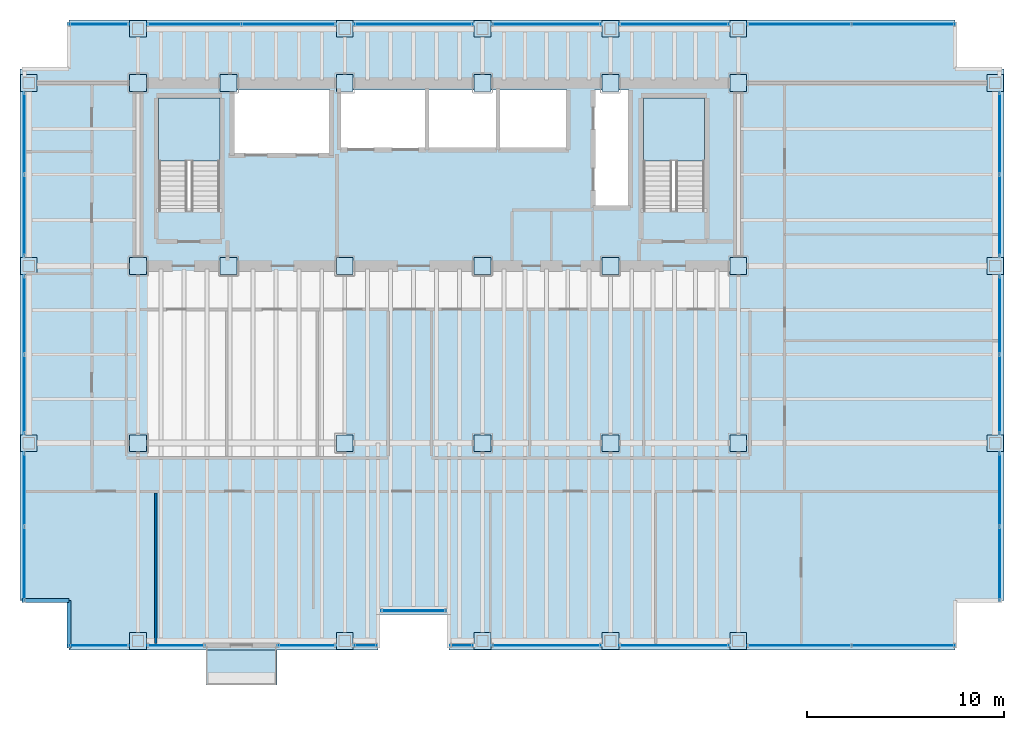
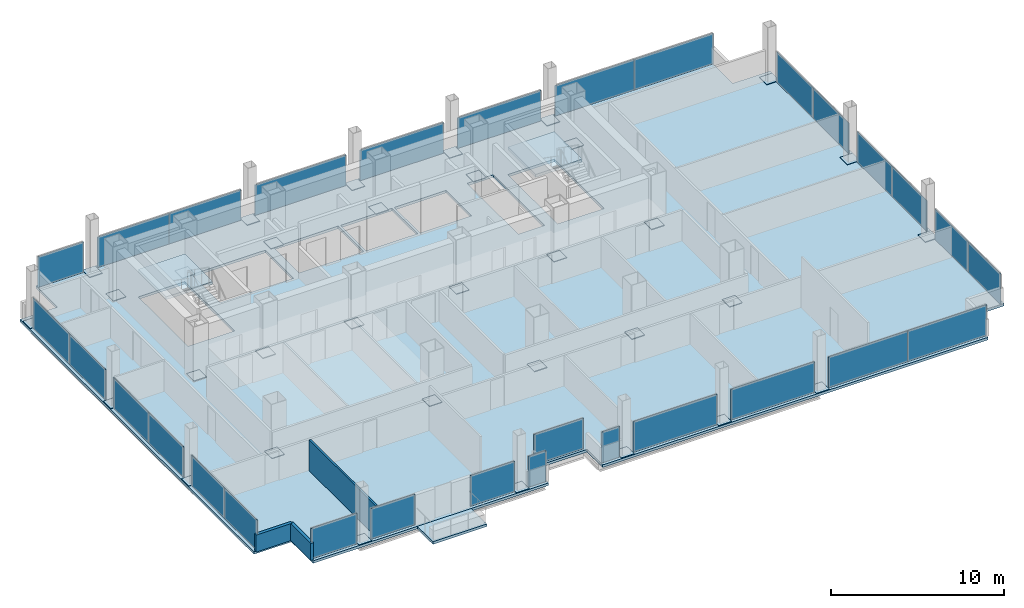
# One storey, part 17 of 21: 63 plates, 4 slabs, 3 walls, 7 openings, 23 elements without a shape of their own.
"""IFC4 building model written with IfcOpenShell, lengths in metres."""

from ifc_helpers import new_model, si_unit, direction, frame, frame_2d, origin, origin_2d, place, context, subcontext, project, spatial, polyline, rectangle, outline, extrude, material, layer, layer_set, type_object, element, aggregate, save


model = new_model("IFC4")

# Units and contexts
model_context = context("Model", 3, precision=1e-05, world=origin(), true_north=direction((0.0, 1.0)))
body_context = subcontext(model_context, "Body", "Model", "MODEL_VIEW")
ifc_project = project(units=[si_unit("LENGTHUNIT", "METRE"), si_unit("AREAUNIT", "SQUARE_METRE"), si_unit("VOLUMEUNIT", "CUBIC_METRE"), si_unit("PLANEANGLEUNIT", "RADIAN"), si_unit("MASSUNIT", "GRAM", prefix="KILO")], contexts=[model_context])

# Site, building, storey
site_placement = place(None, origin())
site = spatial("IfcSite", under=ifc_project, at=site_placement, CompositionType="ELEMENT")
building_placement = place(site_placement, origin())
building = spatial("IfcBuilding", under=site, at=building_placement, Name="Noeulbin Bourse Tower", CompositionType="ELEMENT")
storey_placement = place(building_placement, frame((0.0, 0.0, 96.699951171875)))
storey = spatial("IfcBuildingStorey", under=building, at=storey_placement, Name="L24", CompositionType="ELEMENT", Elevation=96.699951171875)

# Curtain wall, plate
ifc_material_1 = material(Name="Dark Solar-Control Double Glazing", Category="glass")
curtain_wall_type = type_object("IfcCurtainWallType", Name="CW-SYS-2", PredefinedType="NOTDEFINED", material=ifc_material_1)
curtain_wall_1_placement = place(storey_placement, origin())
curtain_wall_1 = element("IfcCurtainWall", 1, at=curtain_wall_1_placement, inside=storey, type_object=curtain_wall_type, Name="Unitised Curtain Wall CW-L24-SREC", PredefinedType="NOTDEFINED")
ifc_layer_1 = layer(ifc_material_1, 0.035888671875)
ifc_layer_set_1 = layer_set([ifc_layer_1], Name="Dark Solar-Control Double Glazing")
plate_type_1 = type_object("IfcPlateType", Name="CW-SYS-2-PNL", PredefinedType="CURTAIN_PANEL", material=ifc_layer_set_1)
plate_1_placement = place(storey_placement, frame((27.5, 11.47998046875, 0.0), z_axis=(0.0, 0.0, 1.0), x_axis=(1.0, 0.0, 0.0)))
plate_1 = element("IfcPlate", 2, at=plate_1_placement, type_object=plate_type_1, Name="Glazed Curtain Panel CW-L24-SREC-P00", PredefinedType="CURTAIN_PANEL", context=body_context, shape_type="SweptSolid", body=[
    extrude(rectangle(XDim=3.300048828125, YDim=0.035888671875, at=origin_2d()), origin(), (0.0, 0.0, 1.0), 2.159912109375),
])
aggregate(curtain_wall_1, [plate_1])

curtain_wall_2_placement = place(storey_placement, origin())
curtain_wall_2 = element("IfcCurtainWall", 3, at=curtain_wall_2_placement, inside=storey, type_object=curtain_wall_type, Name="Unitised Curtain Wall CW-L24-S1-S1", PredefinedType="NOTDEFINED")
plate_2_placement = place(storey_placement, frame((11.510009765625, 9.719970703125, 0.0), z_axis=(0.0, 0.0, 1.0), x_axis=(1.0, 0.0, 0.0)))
plate_2 = element("IfcPlate", 4, at=plate_2_placement, type_object=plate_type_1, Name="Glazed Curtain Panel CW-L24-S1-S1-P00", PredefinedType="CURTAIN_PANEL", context=body_context, shape_type="SweptSolid", body=[
    extrude(rectangle(XDim=3.06005859375, YDim=0.035888671875, at=origin_2d()), origin(), (0.0, 0.0, 1.0), 2.159912109375),
])
aggregate(curtain_wall_2, [plate_2])

curtain_wall_3_placement = place(storey_placement, origin())
curtain_wall_3 = element("IfcCurtainWall", 5, at=curtain_wall_3_placement, inside=storey, type_object=curtain_wall_type, Name="Unitised Curtain Wall CW-L24-S1-S2", PredefinedType="NOTDEFINED")
plate_3_placement = place(storey_placement, frame((15.429931640625, 9.719970703125, 0.0), z_axis=(0.0, 0.0, 1.0), x_axis=(1.0, 0.0, 0.0)))
plate_3 = element("IfcPlate", 6, at=plate_3_placement, type_object=plate_type_1, Name="Glazed Curtain Panel CW-L24-S1-S2-P00", PredefinedType="CURTAIN_PANEL", context=body_context, shape_type="SweptSolid", body=[
    extrude(rectangle(XDim=2.93994140625, YDim=0.035888671875, at=origin_2d()), origin(), (0.0, 0.0, 1.0), 2.159912109375),
])
aggregate(curtain_wall_3, [plate_3])

curtain_wall_4_placement = place(storey_placement, origin())
curtain_wall_4 = element("IfcCurtainWall", 7, at=curtain_wall_4_placement, inside=storey, type_object=curtain_wall_type, Name="Unitised Curtain Wall CW-L24-S2-S1", PredefinedType="NOTDEFINED")
plate_4_placement = place(storey_placement, frame((22.070068359375, 9.719970703125, 0.0), z_axis=(0.0, 0.0, 1.0), x_axis=(1.0, 0.0, 0.0)))
plate_4 = element("IfcPlate", 8, at=plate_4_placement, type_object=plate_type_1, Name="Glazed Curtain Panel CW-L24-S2-S1-P00", PredefinedType="CURTAIN_PANEL", context=body_context, shape_type="SweptSolid", body=[
    extrude(rectangle(XDim=2.93994140625, YDim=0.035888671875, at=origin_2d()), origin(), (0.0, 0.0, 1.0), 2.159912109375),
])
aggregate(curtain_wall_4, [plate_4])

curtain_wall_5_placement = place(storey_placement, origin())
curtain_wall_5 = element("IfcCurtainWall", 9, at=curtain_wall_5_placement, inside=storey, type_object=curtain_wall_type, Name="Unitised Curtain Wall CW-L24-S2-S2", PredefinedType="NOTDEFINED")
plate_5_placement = place(storey_placement, frame((25.054931640625, 9.719970703125, 0.0), z_axis=(0.0, 0.0, 1.0), x_axis=(1.0, 0.0, 0.0)))
plate_5 = element("IfcPlate", 10, at=plate_5_placement, type_object=plate_type_1, Name="Glazed Curtain Panel CW-L24-S2-S2-P00", PredefinedType="CURTAIN_PANEL", context=body_context, shape_type="SweptSolid", body=[
    extrude(rectangle(XDim=1.18994140625, YDim=0.035888671875, at=origin_2d()), origin(), (0.0, 0.0, 1.0), 2.159912109375),
])
aggregate(curtain_wall_5, [plate_5])

curtain_wall_6_placement = place(storey_placement, origin())
curtain_wall_6 = element("IfcCurtainWall", 11, at=curtain_wall_6_placement, inside=storey, type_object=curtain_wall_type, Name="Unitised Curtain Wall CW-L24-S3-S1", PredefinedType="NOTDEFINED")
plate_6_placement = place(storey_placement, frame((29.945068359375, 9.719970703125, 0.0), z_axis=(0.0, 0.0, 1.0), x_axis=(1.0, 0.0, 0.0)))
plate_6 = element("IfcPlate", 12, at=plate_6_placement, type_object=plate_type_1, Name="Glazed Curtain Panel CW-L24-S3-S1-P00", PredefinedType="CURTAIN_PANEL", context=body_context, shape_type="SweptSolid", body=[
    extrude(rectangle(XDim=1.18994140625, YDim=0.035888671875, at=origin_2d()), origin(), (0.0, 0.0, 1.0), 2.159912109375),
])
aggregate(curtain_wall_6, [plate_6])

curtain_wall_7_placement = place(storey_placement, origin())
curtain_wall_7 = element("IfcCurtainWall", 13, at=curtain_wall_7_placement, inside=storey, type_object=curtain_wall_type, Name="Unitised Curtain Wall CW-L24-S3-S2", PredefinedType="NOTDEFINED")
plate_7_placement = place(storey_placement, frame((34.25, 9.719970703125, 0.0), z_axis=(0.0, 0.0, 1.0), x_axis=(1.0, 0.0, 0.0)))
plate_7 = element("IfcPlate", 14, at=plate_7_placement, type_object=plate_type_1, Name="Glazed Curtain Panel CW-L24-S3-S2-P00", PredefinedType="CURTAIN_PANEL", context=body_context, shape_type="SweptSolid", body=[
    extrude(rectangle(XDim=5.580078125, YDim=0.035888671875, at=origin_2d()), origin(), (0.0, 0.0, 1.0), 2.159912109375),
])
aggregate(curtain_wall_7, [plate_7])

curtain_wall_8_placement = place(storey_placement, origin())
curtain_wall_8 = element("IfcCurtainWall", 15, at=curtain_wall_8_placement, inside=storey, type_object=curtain_wall_type, Name="Unitised Curtain Wall CW-L24-S3-S3", PredefinedType="NOTDEFINED")
plate_8_placement = place(storey_placement, frame((40.75, 9.719970703125, 0.0), z_axis=(0.0, 0.0, 1.0), x_axis=(1.0, 0.0, 0.0)))
plate_8 = element("IfcPlate", 16, at=plate_8_placement, type_object=plate_type_1, Name="Glazed Curtain Panel CW-L24-S3-S3-P00", PredefinedType="CURTAIN_PANEL", context=body_context, shape_type="SweptSolid", body=[
    extrude(rectangle(XDim=5.580078125, YDim=0.035888671875, at=origin_2d()), origin(), (0.0, 0.0, 1.0), 2.159912109375),
])
aggregate(curtain_wall_8, [plate_8])

# Curtain wall, plates
curtain_wall_9_placement = place(storey_placement, origin())
curtain_wall_9 = element("IfcCurtainWall", 17, at=curtain_wall_9_placement, inside=storey, type_object=curtain_wall_type, Name="Unitised Curtain Wall CW-L24-S3-S4", PredefinedType="NOTDEFINED")
plate_9_placement = place(storey_placement, frame((47.10009765625, 9.719970703125, 0.0), z_axis=(0.0, 0.0, 1.0), x_axis=(1.0, 0.0, 0.0)))
plate_9 = element("IfcPlate", 18, at=plate_9_placement, type_object=plate_type_1, Name="Glazed Curtain Panel CW-L24-S3-S4-P00", PredefinedType="CURTAIN_PANEL", context=body_context, shape_type="SweptSolid", body=[
    extrude(rectangle(XDim=5.280029296875, YDim=0.035888671875, at=origin_2d()), origin(), (0.0, 0.0, 1.0), 2.159912109375),
])
plate_10_placement = place(storey_placement, frame((52.3798828125, 9.719970703125, 0.0), z_axis=(0.0, 0.0, 1.0), x_axis=(1.0, 0.0, 0.0)))
plate_10 = element("IfcPlate", 19, at=plate_10_placement, type_object=plate_type_1, Name="Glazed Curtain Panel CW-L24-S3-S4-P01", PredefinedType="CURTAIN_PANEL", context=body_context, shape_type="SweptSolid", body=[
    extrude(rectangle(XDim=5.280029296875, YDim=0.035888671875, at=origin_2d()), origin(), (0.0, 0.0, 1.0), 2.159912109375),
])
aggregate(curtain_wall_9, [plate_9, plate_10])

# Curtain wall, plate
curtain_wall_10_placement = place(storey_placement, origin())
curtain_wall_10 = element("IfcCurtainWall", 20, at=curtain_wall_10_placement, inside=storey, type_object=curtain_wall_type, Name="Unitised Curtain Wall CW-L24-N-S1", PredefinedType="NOTDEFINED")
plate_11_placement = place(storey_placement, frame((11.510009765625, 41.280029296875, 0.0), z_axis=(0.0, 0.0, 1.0), x_axis=(1.0, 0.0, 0.0)))
plate_11 = element("IfcPlate", 21, at=plate_11_placement, type_object=plate_type_1, Name="Glazed Curtain Panel CW-L24-N-S1-P00", PredefinedType="CURTAIN_PANEL", context=body_context, shape_type="SweptSolid", body=[
    extrude(rectangle(XDim=3.06005859375, YDim=0.035888671875, at=origin_2d()), origin(), (0.0, 0.0, 1.0), 2.159912109375),
])
aggregate(curtain_wall_10, [plate_11])

# Curtain wall, plates
curtain_wall_11_placement = place(storey_placement, origin())
curtain_wall_11 = element("IfcCurtainWall", 22, at=curtain_wall_11_placement, inside=storey, type_object=curtain_wall_type, Name="Unitised Curtain Wall CW-L24-N-S2", PredefinedType="NOTDEFINED")
plate_12_placement = place(storey_placement, frame((16.35498046875, 41.280029296875, 0.0), z_axis=(0.0, 0.0, 1.0), x_axis=(1.0, 0.0, 0.0)))
plate_12 = element("IfcPlate", 23, at=plate_12_placement, type_object=plate_type_1, Name="Glazed Curtain Panel CW-L24-N-S2-P00", PredefinedType="CURTAIN_PANEL", context=body_context, shape_type="SweptSolid", body=[
    extrude(rectangle(XDim=4.7900390625, YDim=0.035888671875, at=origin_2d()), origin(), (0.0, 0.0, 1.0), 2.159912109375),
])
plate_13_placement = place(storey_placement, frame((21.14501953125, 41.280029296875, 0.0), z_axis=(0.0, 0.0, 1.0), x_axis=(1.0, 0.0, 0.0)))
plate_13 = element("IfcPlate", 24, at=plate_13_placement, type_object=plate_type_1, Name="Glazed Curtain Panel CW-L24-N-S2-P01", PredefinedType="CURTAIN_PANEL", context=body_context, shape_type="SweptSolid", body=[
    extrude(rectangle(XDim=4.7900390625, YDim=0.035888671875, at=origin_2d()), origin(), (0.0, 0.0, 1.0), 2.159912109375),
])
aggregate(curtain_wall_11, [plate_12, plate_13])

# Curtain wall, plate
curtain_wall_12_placement = place(storey_placement, origin())
curtain_wall_12 = element("IfcCurtainWall", 25, at=curtain_wall_12_placement, inside=storey, type_object=curtain_wall_type, Name="Unitised Curtain Wall CW-L24-N-S3", PredefinedType="NOTDEFINED")
plate_14_placement = place(storey_placement, frame((27.5, 41.280029296875, 0.0), z_axis=(0.0, 0.0, 1.0), x_axis=(1.0, 0.0, 0.0)))
plate_14 = element("IfcPlate", 26, at=plate_14_placement, type_object=plate_type_1, Name="Glazed Curtain Panel CW-L24-N-S3-P00", PredefinedType="CURTAIN_PANEL", context=body_context, shape_type="SweptSolid", body=[
    extrude(rectangle(XDim=6.080078125, YDim=0.035888671875, at=origin_2d()), origin(), (0.0, 0.0, 1.0), 2.159912109375),
])
aggregate(curtain_wall_12, [plate_14])

curtain_wall_13_placement = place(storey_placement, origin())
curtain_wall_13 = element("IfcCurtainWall", 27, at=curtain_wall_13_placement, inside=storey, type_object=curtain_wall_type, Name="Unitised Curtain Wall CW-L24-N-S4", PredefinedType="NOTDEFINED")
plate_15_placement = place(storey_placement, frame((34.25, 41.280029296875, 0.0), z_axis=(0.0, 0.0, 1.0), x_axis=(1.0, 0.0, 0.0)))
plate_15 = element("IfcPlate", 28, at=plate_15_placement, type_object=plate_type_1, Name="Glazed Curtain Panel CW-L24-N-S4-P00", PredefinedType="CURTAIN_PANEL", context=body_context, shape_type="SweptSolid", body=[
    extrude(rectangle(XDim=5.580078125, YDim=0.035888671875, at=origin_2d()), origin(), (0.0, 0.0, 1.0), 2.159912109375),
])
aggregate(curtain_wall_13, [plate_15])

curtain_wall_14_placement = place(storey_placement, origin())
curtain_wall_14 = element("IfcCurtainWall", 29, at=curtain_wall_14_placement, inside=storey, type_object=curtain_wall_type, Name="Unitised Curtain Wall CW-L24-N-S5", PredefinedType="NOTDEFINED")
plate_16_placement = place(storey_placement, frame((40.75, 41.280029296875, 0.0), z_axis=(0.0, 0.0, 1.0), x_axis=(1.0, 0.0, 0.0)))
plate_16 = element("IfcPlate", 30, at=plate_16_placement, type_object=plate_type_1, Name="Glazed Curtain Panel CW-L24-N-S5-P00", PredefinedType="CURTAIN_PANEL", context=body_context, shape_type="SweptSolid", body=[
    extrude(rectangle(XDim=5.580078125, YDim=0.035888671875, at=origin_2d()), origin(), (0.0, 0.0, 1.0), 2.159912109375),
])
aggregate(curtain_wall_14, [plate_16])

# Curtain wall, plates
curtain_wall_15_placement = place(storey_placement, origin())
curtain_wall_15 = element("IfcCurtainWall", 31, at=curtain_wall_15_placement, inside=storey, type_object=curtain_wall_type, Name="Unitised Curtain Wall CW-L24-N-S6", PredefinedType="NOTDEFINED")
plate_17_placement = place(storey_placement, frame((47.10009765625, 41.280029296875, 0.0), z_axis=(0.0, 0.0, 1.0), x_axis=(1.0, 0.0, 0.0)))
plate_17 = element("IfcPlate", 32, at=plate_17_placement, type_object=plate_type_1, Name="Glazed Curtain Panel CW-L24-N-S6-P00", PredefinedType="CURTAIN_PANEL", context=body_context, shape_type="SweptSolid", body=[
    extrude(rectangle(XDim=5.280029296875, YDim=0.035888671875, at=origin_2d()), origin(), (0.0, 0.0, 1.0), 2.159912109375),
])
plate_18_placement = place(storey_placement, frame((52.3798828125, 41.280029296875, 0.0), z_axis=(0.0, 0.0, 1.0), x_axis=(1.0, 0.0, 0.0)))
plate_18 = element("IfcPlate", 33, at=plate_18_placement, type_object=plate_type_1, Name="Glazed Curtain Panel CW-L24-N-S6-P01", PredefinedType="CURTAIN_PANEL", context=body_context, shape_type="SweptSolid", body=[
    extrude(rectangle(XDim=5.280029296875, YDim=0.035888671875, at=origin_2d()), origin(), (0.0, 0.0, 1.0), 2.159912109375),
])
aggregate(curtain_wall_15, [plate_17, plate_18])

curtain_wall_16_placement = place(storey_placement, origin())
curtain_wall_16 = element("IfcCurtainWall", 34, at=curtain_wall_16_placement, inside=storey, type_object=curtain_wall_type, Name="Unitised Curtain Wall CW-L24-W-S1", PredefinedType="NOTDEFINED")
plate_19_placement = place(storey_placement, frame((7.719970703125, 13.8701171875, 0.0), z_axis=(0.0, 0.0, 1.0), x_axis=(0.0, 1.0, 0.0)))
plate_19 = element("IfcPlate", 35, at=plate_19_placement, type_object=plate_type_1, Name="Glazed Curtain Panel CW-L24-W-S1-P00", PredefinedType="CURTAIN_PANEL", context=body_context, shape_type="SweptSolid", body=[
    extrude(rectangle(XDim=3.780029296875, YDim=0.035888671875, at=origin_2d()), origin(), (0.0, 0.0, 1.0), 2.159912109375),
])
plate_20_placement = place(storey_placement, frame((7.719970703125, 17.64990234375, 0.0), z_axis=(0.0, 0.0, 1.0), x_axis=(0.0, 1.0, 0.0)))
plate_20 = element("IfcPlate", 36, at=plate_20_placement, type_object=plate_type_1, Name="Glazed Curtain Panel CW-L24-W-S1-P01", PredefinedType="CURTAIN_PANEL", context=body_context, shape_type="SweptSolid", body=[
    extrude(rectangle(XDim=3.780029296875, YDim=0.035888671875, at=origin_2d()), origin(), (0.0, 0.0, 1.0), 2.159912109375),
])
aggregate(curtain_wall_16, [plate_19, plate_20])

curtain_wall_17_placement = place(storey_placement, origin())
curtain_wall_17 = element("IfcCurtainWall", 37, at=curtain_wall_17_placement, inside=storey, type_object=curtain_wall_type, Name="Unitised Curtain Wall CW-L24-W-S2", PredefinedType="NOTDEFINED")
plate_21_placement = place(storey_placement, frame((7.719970703125, 22.47998046875, 0.0), z_axis=(0.0, 0.0, 1.0), x_axis=(0.0, 1.0, 0.0)))
plate_21 = element("IfcPlate", 38, at=plate_21_placement, type_object=plate_type_1, Name="Glazed Curtain Panel CW-L24-W-S2-P00", PredefinedType="CURTAIN_PANEL", context=body_context, shape_type="SweptSolid", body=[
    extrude(rectangle(XDim=4.0400390625, YDim=0.035888671875, at=origin_2d()), origin(), (0.0, 0.0, 1.0), 2.159912109375),
])
plate_22_placement = place(storey_placement, frame((7.719970703125, 26.52001953125, 0.0), z_axis=(0.0, 0.0, 1.0), x_axis=(0.0, 1.0, 0.0)))
plate_22 = element("IfcPlate", 39, at=plate_22_placement, type_object=plate_type_1, Name="Glazed Curtain Panel CW-L24-W-S2-P01", PredefinedType="CURTAIN_PANEL", context=body_context, shape_type="SweptSolid", body=[
    extrude(rectangle(XDim=4.0400390625, YDim=0.035888671875, at=origin_2d()), origin(), (0.0, 0.0, 1.0), 2.159912109375),
])
aggregate(curtain_wall_17, [plate_21, plate_22])

curtain_wall_18_placement = place(storey_placement, origin())
curtain_wall_18 = element("IfcCurtainWall", 40, at=curtain_wall_18_placement, inside=storey, type_object=curtain_wall_type, Name="Unitised Curtain Wall CW-L24-W-S3", PredefinedType="NOTDEFINED")
plate_23_placement = place(storey_placement, frame((7.719970703125, 31.554931640625, 0.0), z_axis=(0.0, 0.0, 1.0), x_axis=(0.0, 1.0, 0.0)))
plate_23 = element("IfcPlate", 41, at=plate_23_placement, type_object=plate_type_1, Name="Glazed Curtain Panel CW-L24-W-S3-P00", PredefinedType="CURTAIN_PANEL", context=body_context, shape_type="SweptSolid", body=[
    extrude(rectangle(XDim=4.18994140625, YDim=0.035888671875, at=origin_2d()), origin(), (0.0, 0.0, 1.0), 2.159912109375),
])
plate_24_placement = place(storey_placement, frame((7.719970703125, 35.7451171875, 0.0), z_axis=(0.0, 0.0, 1.0), x_axis=(0.0, 1.0, 0.0)))
plate_24 = element("IfcPlate", 42, at=plate_24_placement, type_object=plate_type_1, Name="Glazed Curtain Panel CW-L24-W-S3-P01", PredefinedType="CURTAIN_PANEL", context=body_context, shape_type="SweptSolid", body=[
    extrude(rectangle(XDim=4.18994140625, YDim=0.035888671875, at=origin_2d()), origin(), (0.0, 0.0, 1.0), 2.159912109375),
])
aggregate(curtain_wall_18, [plate_23, plate_24])

curtain_wall_19_placement = place(storey_placement, origin())
curtain_wall_19 = element("IfcCurtainWall", 43, at=curtain_wall_19_placement, inside=storey, type_object=curtain_wall_type, Name="Unitised Curtain Wall CW-L24-E-S1", PredefinedType="NOTDEFINED")
plate_25_placement = place(storey_placement, frame((57.280029296875, 13.8701171875, 0.0), z_axis=(0.0, 0.0, 1.0), x_axis=(0.0, 1.0, 0.0)))
plate_25 = element("IfcPlate", 44, at=plate_25_placement, type_object=plate_type_1, Name="Glazed Curtain Panel CW-L24-E-S1-P00", PredefinedType="CURTAIN_PANEL", context=body_context, shape_type="SweptSolid", body=[
    extrude(rectangle(XDim=3.780029296875, YDim=0.035888671875, at=origin_2d()), origin(), (0.0, 0.0, 1.0), 2.159912109375),
])
plate_26_placement = place(storey_placement, frame((57.280029296875, 17.64990234375, 0.0), z_axis=(0.0, 0.0, 1.0), x_axis=(0.0, 1.0, 0.0)))
plate_26 = element("IfcPlate", 45, at=plate_26_placement, type_object=plate_type_1, Name="Glazed Curtain Panel CW-L24-E-S1-P01", PredefinedType="CURTAIN_PANEL", context=body_context, shape_type="SweptSolid", body=[
    extrude(rectangle(XDim=3.780029296875, YDim=0.035888671875, at=origin_2d()), origin(), (0.0, 0.0, 1.0), 2.159912109375),
])
aggregate(curtain_wall_19, [plate_25, plate_26])

curtain_wall_20_placement = place(storey_placement, origin())
curtain_wall_20 = element("IfcCurtainWall", 46, at=curtain_wall_20_placement, inside=storey, type_object=curtain_wall_type, Name="Unitised Curtain Wall CW-L24-E-S2", PredefinedType="NOTDEFINED")
plate_27_placement = place(storey_placement, frame((57.280029296875, 22.47998046875, 0.0), z_axis=(0.0, 0.0, 1.0), x_axis=(0.0, 1.0, 0.0)))
plate_27 = element("IfcPlate", 47, at=plate_27_placement, type_object=plate_type_1, Name="Glazed Curtain Panel CW-L24-E-S2-P00", PredefinedType="CURTAIN_PANEL", context=body_context, shape_type="SweptSolid", body=[
    extrude(rectangle(XDim=4.0400390625, YDim=0.035888671875, at=origin_2d()), origin(), (0.0, 0.0, 1.0), 2.159912109375),
])
plate_28_placement = place(storey_placement, frame((57.280029296875, 26.52001953125, 0.0), z_axis=(0.0, 0.0, 1.0), x_axis=(0.0, 1.0, 0.0)))
plate_28 = element("IfcPlate", 48, at=plate_28_placement, type_object=plate_type_1, Name="Glazed Curtain Panel CW-L24-E-S2-P01", PredefinedType="CURTAIN_PANEL", context=body_context, shape_type="SweptSolid", body=[
    extrude(rectangle(XDim=4.0400390625, YDim=0.035888671875, at=origin_2d()), origin(), (0.0, 0.0, 1.0), 2.159912109375),
])
aggregate(curtain_wall_20, [plate_27, plate_28])

curtain_wall_21_placement = place(storey_placement, origin())
curtain_wall_21 = element("IfcCurtainWall", 49, at=curtain_wall_21_placement, inside=storey, type_object=curtain_wall_type, Name="Unitised Curtain Wall CW-L24-E-S3", PredefinedType="NOTDEFINED")
plate_29_placement = place(storey_placement, frame((57.280029296875, 31.554931640625, 0.0), z_axis=(0.0, 0.0, 1.0), x_axis=(0.0, 1.0, 0.0)))
plate_29 = element("IfcPlate", 50, at=plate_29_placement, type_object=plate_type_1, Name="Glazed Curtain Panel CW-L24-E-S3-P00", PredefinedType="CURTAIN_PANEL", context=body_context, shape_type="SweptSolid", body=[
    extrude(rectangle(XDim=4.18994140625, YDim=0.035888671875, at=origin_2d()), origin(), (0.0, 0.0, 1.0), 2.159912109375),
])
plate_30_placement = place(storey_placement, frame((57.280029296875, 35.7451171875, 0.0), z_axis=(0.0, 0.0, 1.0), x_axis=(0.0, 1.0, 0.0)))
plate_30 = element("IfcPlate", 51, at=plate_30_placement, type_object=plate_type_1, Name="Glazed Curtain Panel CW-L24-E-S3-P01", PredefinedType="CURTAIN_PANEL", context=body_context, shape_type="SweptSolid", body=[
    extrude(rectangle(XDim=4.18994140625, YDim=0.035888671875, at=origin_2d()), origin(), (0.0, 0.0, 1.0), 2.159912109375),
])
aggregate(curtain_wall_21, [plate_29, plate_30])

# Plates
ifc_material_2 = material(Name="Steel S355", Category="steel")
ifc_layer_2 = layer(ifc_material_2, 0.030029296875)
ifc_layer_set_2 = layer_set([ifc_layer_2], Name="Steel S355")
plate_type_2 = type_object("IfcPlateType", Name="PLT-BN1", PredefinedType="USERDEFINED", material=ifc_layer_set_2)
for number, where, z_axis, x_axis, name in (
    (52, (13.5, 29.0, 0.0048828125), (0.0, 0.0, 1.0), (1.0, 0.0, 0.0), "Mega-Column Splice Plate BN1-L24-01"),
    (53, (13.5, 38.300048828125, 0.0048828125), (0.0, 0.0, 1.0), (1.0, 0.0, 0.0), "Mega-Column Splice Plate BN1-L24-02"),
    (54, (18.10009765625, 29.0, 0.0048828125), (0.0, 0.0, 1.0), (1.0, 0.0, 0.0), "Mega-Column Splice Plate BN1-L24-03"),
    (55, (18.10009765625, 38.300048828125, 0.0048828125), (0.0, 0.0, 1.0), (1.0, 0.0, 0.0), "Mega-Column Splice Plate BN1-L24-04"),
    (56, (24.0, 29.0, 0.0048828125), (0.0, 0.0, 1.0), (1.0, 0.0, 0.0), "Mega-Column Splice Plate BN1-L24-05"),
    (57, (24.0, 38.300048828125, 0.0048828125), (0.0, 0.0, 1.0), (1.0, 0.0, 0.0), "Mega-Column Splice Plate BN1-L24-06"),
    (58, (31.0, 29.0, 0.0048828125), (0.0, 0.0, 1.0), (1.0, 0.0, 0.0), "Mega-Column Splice Plate BN1-L24-07"),
    (59, (31.0, 38.300048828125, 0.0048828125), (0.0, 0.0, 1.0), (1.0, 0.0, 0.0), "Mega-Column Splice Plate BN1-L24-08"),
    (60, (37.5, 29.0, 0.0048828125), (0.0, 0.0, 1.0), (1.0, 0.0, 0.0), "Mega-Column Splice Plate BN1-L24-09"),
    (61, (37.5, 38.300048828125, 0.0048828125), (0.0, 0.0, 1.0), (1.0, 0.0, 0.0), "Mega-Column Splice Plate BN1-L24-10"),
    (62, (44.0, 29.0, 0.0048828125), (0.0, 0.0, 1.0), (1.0, 0.0, 0.0), "Mega-Column Splice Plate BN1-L24-11"),
    (63, (44.0, 38.300048828125, 0.0048828125), (0.0, 0.0, 1.0), (1.0, 0.0, 0.0), "Mega-Column Splice Plate BN1-L24-12"),
    (64, (13.5, 20.0, 0.0048828125), (0.0, 0.0, 1.0), (1.0, 0.0, 0.0), "Mega-Column Splice Plate BN1-L24-13"),
    (65, (24.0, 20.0, 0.0048828125), (0.0, 0.0, 1.0), (1.0, 0.0, 0.0), "Mega-Column Splice Plate BN1-L24-14"),
    (66, (31.0, 20.0, 0.0048828125), (0.0, 0.0, 1.0), (1.0, 0.0, 0.0), "Mega-Column Splice Plate BN1-L24-15"),
    (67, (37.5, 20.0, 0.0048828125), (0.0, 0.0, 1.0), (1.0, 0.0, 0.0), "Mega-Column Splice Plate BN1-L24-16"),
    (68, (44.0, 20.0, 0.0048828125), (0.0, 0.0, 1.0), (1.0, 0.0, 0.0), "Mega-Column Splice Plate BN1-L24-17"),
    (69, (7.949951171875, 20.0, 0.0048828125), (0.0, 0.0, 1.0), (1.0, 0.0, 0.0), "Perimeter Column Splice Plate BN1-L24-01"),
    (70, (7.949951171875, 29.0, 0.0048828125), (0.0, 0.0, 1.0), (1.0, 0.0, 0.0), "Perimeter Column Splice Plate BN1-L24-02"),
    (71, (7.949951171875, 38.300048828125, 0.0048828125), (0.0, 0.0, 1.0), (1.0, 0.0, 0.0), "Perimeter Column Splice Plate BN1-L24-03"),
    (72, (13.5, 9.949951171875, 0.0048828125), (0.0, 0.0, 1.0), (1.0, 0.0, 0.0), "Perimeter Column Splice Plate BN1-L24-04"),
    (73, (13.5, 41.050048828125, 0.0048828125), (0.0, 0.0, 1.0), (1.0, 0.0, 0.0), "Perimeter Column Splice Plate BN1-L24-05"),
    (74, (24.0, 9.949951171875, 0.0048828125), (0.0, 0.0, 1.0), (1.0, 0.0, 0.0), "Perimeter Column Splice Plate BN1-L24-06"),
    (75, (24.0, 41.050048828125, 0.0048828125), (0.0, 0.0, 1.0), (1.0, 0.0, 0.0), "Perimeter Column Splice Plate BN1-L24-07"),
    (76, (31.0, 9.949951171875, 0.0048828125), (0.0, 0.0, 1.0), (1.0, 0.0, 0.0), "Perimeter Column Splice Plate BN1-L24-08"),
    (77, (31.0, 41.050048828125, 0.0048828125), (0.0, 0.0, 1.0), (1.0, 0.0, 0.0), "Perimeter Column Splice Plate BN1-L24-09"),
    (78, (37.5, 9.949951171875, 0.0048828125), (0.0, 0.0, 1.0), (1.0, 0.0, 0.0), "Perimeter Column Splice Plate BN1-L24-10"),
    (79, (37.5, 41.050048828125, 0.0048828125), (0.0, 0.0, 1.0), (1.0, 0.0, 0.0), "Perimeter Column Splice Plate BN1-L24-11"),
    (80, (44.0, 9.949951171875, 0.0048828125), (0.0, 0.0, 1.0), (1.0, 0.0, 0.0), "Perimeter Column Splice Plate BN1-L24-12"),
    (81, (44.0, 41.050048828125, 0.0048828125), (0.0, 0.0, 1.0), (1.0, 0.0, 0.0), "Perimeter Column Splice Plate BN1-L24-13"),
    (82, (57.050048828125, 20.0, 0.0048828125), (0.0, 0.0, 1.0), (1.0, 0.0, 0.0), "Perimeter Column Splice Plate BN1-L24-14"),
    (83, (57.050048828125, 29.0, 0.0048828125), (0.0, 0.0, 1.0), (1.0, 0.0, 0.0), "Perimeter Column Splice Plate BN1-L24-15"),
    (84, (57.050048828125, 38.300048828125, 0.0048828125), (0.0, 0.0, 1.0), (1.0, 0.0, 0.0), "Perimeter Column Splice Plate BN1-L24-16"),
):
    element("IfcPlate", number, at=place(storey_placement, frame(where, z_axis=z_axis, x_axis=x_axis)), inside=storey, type_object=plate_type_2, Name=name, ObjectType="SPLICE PLATE", PredefinedType="USERDEFINED", context=body_context, shape_type="SweptSolid", body=[
        extrude(rectangle(XDim=0.85009765625, YDim=0.85009765625, at=origin_2d()), origin(), (0.0, 0.0, 1.0), 0.030029296875),
    ])

# Stair, slab
ifc_material_3 = material(Name="Concrete C40/50", Category="concrete")
stair_type = type_object("IfcStairType", Name="STR-CORE-1560", PredefinedType="HALF_TURN_STAIR", material=ifc_material_3)
stair_1_placement = place(storey_placement, origin())
stair_1 = element("IfcStair", 85, at=stair_1_placement, inside=storey, type_object=stair_type, Name="L24 ST-1", PredefinedType="HALF_TURN_STAIR")
ifc_layer_3 = layer(ifc_material_3, 0.199951171875)
ifc_layer_set_3 = layer_set([ifc_layer_3], Name="Concrete C40/50")
slab_type_1 = type_object("IfcSlabType", Name="SLB-LND-200", PredefinedType="LANDING", material=ifc_layer_set_3)
slab_1_placement = place(storey_placement, frame((0.0, 0.0, 1.75)))
slab_1 = element("IfcSlab", 86, at=slab_1_placement, type_object=slab_type_1, Name="ST-1 landing 1", PredefinedType="LANDING", context=body_context, shape_type="SweptSolid", body=[
    extrude(outline(polyline([(17.64990234375, 34.330078125), (17.64990234375, 37.5439453125), (14.550048828125, 37.5439453125), (14.550048828125, 34.330078125), (17.64990234375, 34.330078125)])), origin(), (0.0, 0.0, 1.0), 0.199951171875),
])
aggregate(stair_1, [slab_1])

stair_2_placement = place(storey_placement, origin())
stair_2 = element("IfcStair", 87, at=stair_2_placement, inside=storey, type_object=stair_type, Name="L24 ST-2", PredefinedType="HALF_TURN_STAIR")
slab_2_placement = place(storey_placement, frame((0.0, 0.0, 1.75)))
slab_2 = element("IfcSlab", 88, at=slab_2_placement, type_object=slab_type_1, Name="ST-2 landing 1", PredefinedType="LANDING", context=body_context, shape_type="SweptSolid", body=[
    extrude(outline(polyline([(42.280029296875, 34.330078125), (42.280029296875, 37.5439453125), (39.179931640625, 37.5439453125), (39.179931640625, 34.330078125), (42.280029296875, 34.330078125)])), origin(), (0.0, 0.0, 1.0), 0.199951171875),
])
aggregate(stair_2, [slab_2])

# Slab, openings
ifc_layer_4 = layer(ifc_material_3, 0.179931640625)
ifc_layer_set_4 = layer_set([ifc_layer_4], Name="Concrete C40/50")
slab_type_2 = type_object("IfcSlabType", Name="SLB-TYP-180", PredefinedType="FLOOR", material=ifc_layer_set_4)
slab_3_placement = place(storey_placement, frame((0.0, 0.0, -0.179931640625)))
slab_3 = element("IfcSlab", 89, at=slab_3_placement, inside=storey, type_object=slab_type_2, Name="Tower Structural Floor Slab L24", PredefinedType="FLOOR", context=body_context, shape_type="SweptSolid", body=[
    extrude(outline(polyline([(10.0, 9.5), (25.699951171875, 9.5), (25.699951171875, 11.300048828125), (29.300048828125, 11.300048828125), (29.300048828125, 9.5), (55.0, 9.5), (55.0, 12.0), (57.5, 12.0), (57.5, 39.0), (55.0, 39.0), (55.0, 41.5), (10.0, 41.5), (10.0, 39.0), (7.5, 39.0), (7.5, 12.0), (10.0, 12.0), (10.0, 9.5)]), holes=[polyline([(17.64990234375, 31.81005859375), (17.64990234375, 37.5439453125), (14.550048828125, 37.5439453125), (14.550048828125, 31.81005859375), (17.64990234375, 31.81005859375)]), polyline([(42.280029296875, 31.81005859375), (42.280029296875, 37.5439453125), (39.179931640625, 37.5439453125), (39.179931640625, 31.81005859375), (42.280029296875, 31.81005859375)]), polyline([(18.35009765625, 34.699951171875), (23.25, 34.699951171875), (23.25, 37.949951171875), (18.35009765625, 37.949951171875), (18.35009765625, 34.699951171875)]), polyline([(36.699951171875, 32.050048828125), (38.449951171875, 32.050048828125), (38.449951171875, 37.949951171875), (36.699951171875, 37.949951171875), (36.699951171875, 32.050048828125)]), polyline([(23.800048828125, 35.0), (28.10009765625, 35.0), (28.10009765625, 37.949951171875), (23.800048828125, 37.949951171875), (23.800048828125, 35.0)]), polyline([(28.25, 35.0), (31.699951171875, 35.0), (31.699951171875, 37.949951171875), (28.25, 37.949951171875), (28.25, 35.0)]), polyline([(31.85009765625, 35.0), (35.300048828125, 35.0), (35.300048828125, 37.949951171875), (31.85009765625, 37.949951171875), (31.85009765625, 35.0)])]), origin(), (0.0, 0.0, 1.0), 0.179931640625),
])
opening_1_placement = place(slab_3_placement, frame((0.0, 0.0, -0.010009765625)))
element("IfcOpeningElement", 90, at=opening_1_placement, cuts=slab_3, Name="Slab Shaft Opening SLB-L24-TWR-1", PredefinedType="OPENING", context=body_context, shape_type="SweptSolid", body=[
    extrude(outline(polyline([(17.64990234375, 31.81005859375), (17.64990234375, 37.5439453125), (14.550048828125, 37.5439453125), (14.550048828125, 31.81005859375), (17.64990234375, 31.81005859375)])), origin(), (0.0, 0.0, 1.0), 0.199951171875),
])
opening_2_placement = place(slab_3_placement, frame((0.0, 0.0, -0.010009765625)))
element("IfcOpeningElement", 91, at=opening_2_placement, cuts=slab_3, Name="Slab Shaft Opening SLB-L24-TWR-2", PredefinedType="OPENING", context=body_context, shape_type="SweptSolid", body=[
    extrude(outline(polyline([(42.280029296875, 31.81005859375), (42.280029296875, 37.5439453125), (39.179931640625, 37.5439453125), (39.179931640625, 31.81005859375), (42.280029296875, 31.81005859375)])), origin(), (0.0, 0.0, 1.0), 0.199951171875),
])
opening_3_placement = place(slab_3_placement, frame((0.0, 0.0, -0.010009765625)))
element("IfcOpeningElement", 92, at=opening_3_placement, cuts=slab_3, Name="Slab Shaft Opening SLB-L24-TWR-3", PredefinedType="OPENING", context=body_context, shape_type="SweptSolid", body=[
    extrude(outline(polyline([(18.35009765625, 34.699951171875), (23.25, 34.699951171875), (23.25, 37.949951171875), (18.35009765625, 37.949951171875), (18.35009765625, 34.699951171875)])), origin(), (0.0, 0.0, 1.0), 0.199951171875),
])
opening_4_placement = place(slab_3_placement, frame((0.0, 0.0, -0.010009765625)))
element("IfcOpeningElement", 93, at=opening_4_placement, cuts=slab_3, Name="Slab Shaft Opening SLB-L24-TWR-4", PredefinedType="OPENING", context=body_context, shape_type="SweptSolid", body=[
    extrude(outline(polyline([(36.699951171875, 32.050048828125), (38.449951171875, 32.050048828125), (38.449951171875, 37.949951171875), (36.699951171875, 37.949951171875), (36.699951171875, 32.050048828125)])), origin(), (0.0, 0.0, 1.0), 0.199951171875),
])
opening_5_placement = place(slab_3_placement, frame((0.0, 0.0, -0.010009765625)))
element("IfcOpeningElement", 94, at=opening_5_placement, cuts=slab_3, Name="Slab Shaft Opening SLB-L24-TWR-5", PredefinedType="OPENING", context=body_context, shape_type="SweptSolid", body=[
    extrude(outline(polyline([(23.800048828125, 35.0), (28.10009765625, 35.0), (28.10009765625, 37.949951171875), (23.800048828125, 37.949951171875), (23.800048828125, 35.0)])), origin(), (0.0, 0.0, 1.0), 0.199951171875),
])
opening_6_placement = place(slab_3_placement, frame((0.0, 0.0, -0.010009765625)))
element("IfcOpeningElement", 95, at=opening_6_placement, cuts=slab_3, Name="Slab Shaft Opening SLB-L24-TWR-6", PredefinedType="OPENING", context=body_context, shape_type="SweptSolid", body=[
    extrude(outline(polyline([(28.25, 35.0), (31.699951171875, 35.0), (31.699951171875, 37.949951171875), (28.25, 37.949951171875), (28.25, 35.0)])), origin(), (0.0, 0.0, 1.0), 0.199951171875),
])
opening_7_placement = place(slab_3_placement, frame((0.0, 0.0, -0.010009765625)))
element("IfcOpeningElement", 96, at=opening_7_placement, cuts=slab_3, Name="Slab Shaft Opening SLB-L24-TWR-7", PredefinedType="OPENING", context=body_context, shape_type="SweptSolid", body=[
    extrude(outline(polyline([(31.85009765625, 35.0), (35.300048828125, 35.0), (35.300048828125, 37.949951171875), (31.85009765625, 37.949951171875), (31.85009765625, 35.0)])), origin(), (0.0, 0.0, 1.0), 0.199951171875),
])

# Slab
slab_4_placement = place(storey_placement, frame((0.0, 0.0, -0.179931640625)))
element("IfcSlab", 97, at=slab_4_placement, inside=storey, type_object=slab_type_2, Name="Cantilevered Tree-Balcony Slab L24", PredefinedType="FLOOR", context=body_context, shape_type="SweptSolid", body=[
    extrude(outline(polyline([(16.949951171875, 7.699951171875), (20.550048828125, 7.699951171875), (20.550048828125, 9.5), (16.949951171875, 9.5), (16.949951171875, 7.699951171875)])), origin(), (0.0, 0.0, 1.0), 0.179931640625),
])

# Walls
ifc_layer_5 = layer(ifc_material_3, 0.199951171875)
ifc_layer_set_5 = layer_set([ifc_layer_5], Name="Concrete C40/50")
wall_type_1 = type_object("IfcWallType", Name="WAL-PAR-200", PredefinedType="PARAPET", material=ifc_layer_set_5)
for number, where, z_axis, x_axis, name in (
    (98, (7.60009765625, 12.0, 0.0), (0.0, 0.0, 1.0), (1.0, 0.0, 0.0), "Corner Notch Parapet L24-SW1"),
    (99, (10.0, 12.0, 0.0), (0.0, 0.0, 1.0), (0.0, -1.0, 0.0), "Corner Notch Parapet L24-SW2"),
):
    element("IfcWall", number, at=place(storey_placement, frame(where, z_axis=z_axis, x_axis=x_axis)), inside=storey, type_object=wall_type_1, Name=name, PredefinedType="PARAPET", context=body_context, shape_type="SweptSolid", body=[
        extrude(rectangle(XDim=2.39990234375, YDim=0.199951171875, at=frame_2d((1.199951171875, 0.0))), origin(), (0.0, 0.0, 1.0), 1.199951171875),
    ])
ifc_material_4 = material(Name="Steel Stud Gypsum Partition", Category="steel")
ifc_layer_6 = layer(ifc_material_4, 0.1201171875)
ifc_layer_set_6 = layer_set([ifc_layer_6], Name="Steel Stud Gypsum Partition")
wall_type_2 = type_object("IfcWallType", Name="WAL-PRT-120", PredefinedType="PARTITIONING", material=ifc_layer_set_6)
wall_placement = place(storey_placement, frame((14.39990234375, 9.81005859375, 0.0), z_axis=(0.0, 0.0, 1.0), x_axis=(0.0, 1.0, 0.0)))
element("IfcWall", 100, at=wall_placement, inside=storey, type_object=wall_type_2, Name="Interior Partition Wall L24-25", PredefinedType="PARTITIONING", context=body_context, shape_type="SweptSolid", body=[
    extrude(rectangle(XDim=7.655029296875, YDim=0.1201171875, at=frame_2d((3.82763671875, 0.0))), origin(), (0.0, 0.0, 1.0), 2.179931640625),
])

save(model, "model.ifc")
